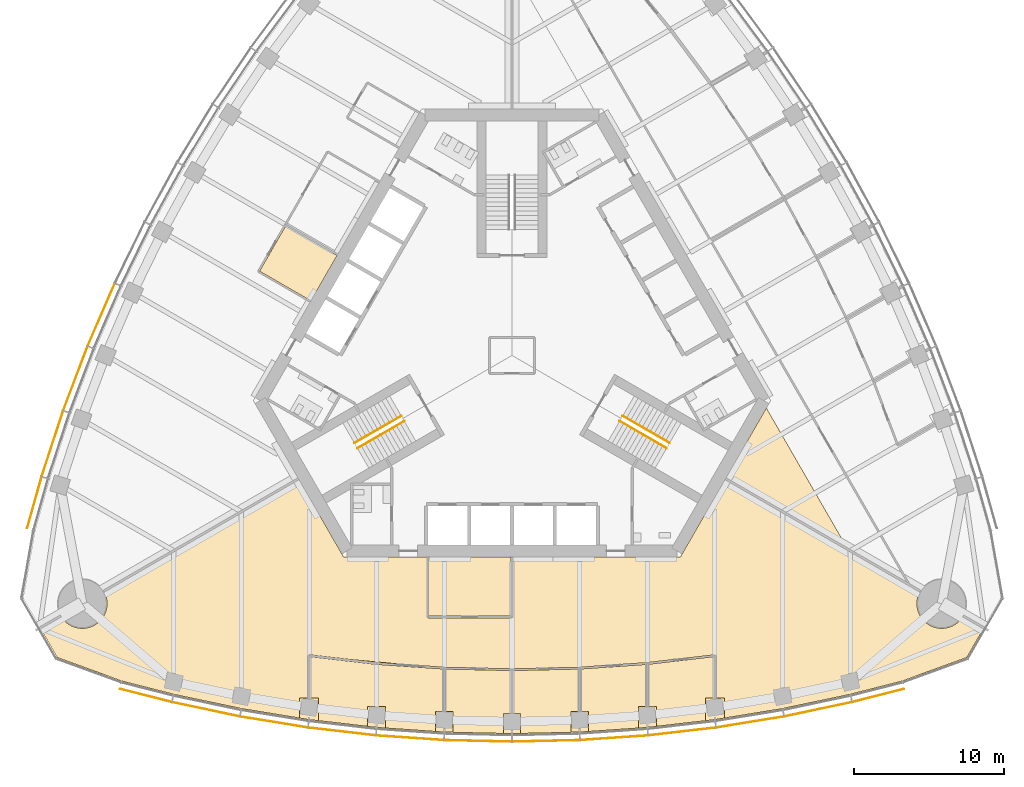
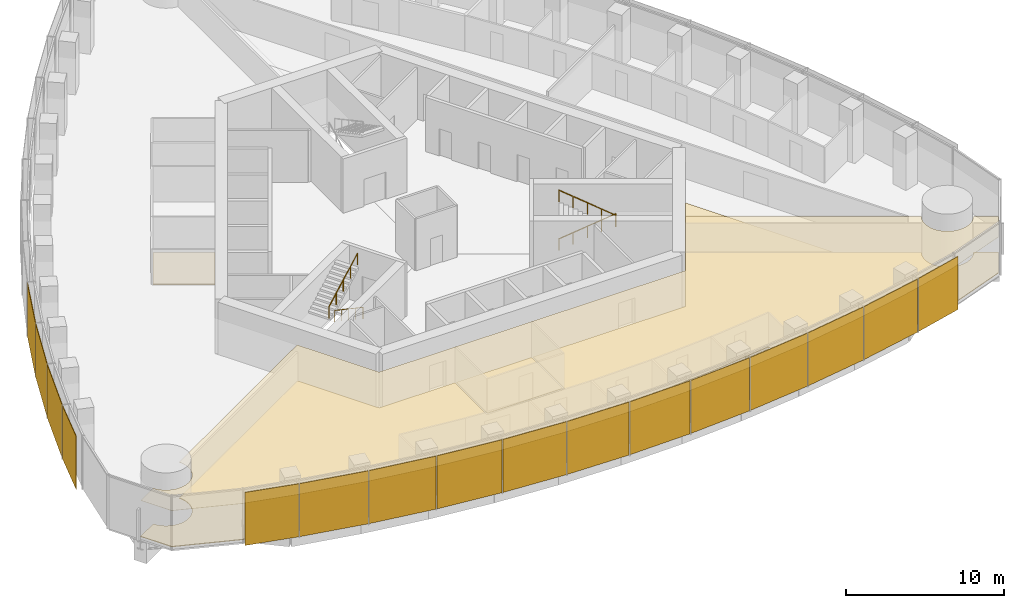
# One storey, part 16 of 20: 16 shading devices, 10 coverings, 4 railings.
"""IFC4 building model written with IfcOpenShell, lengths in metres."""

from ifc_helpers import new_model, si_unit, direction, frame, origin, origin_2d, place, context, subcontext, project, spatial, polyline, rectangle, circle, outline, extrude, material, layer, layer_set, type_object, element, save


model = new_model("IFC4")

# Units and contexts
model_context = context("Model", 3, precision=1e-05, world=origin(), true_north=direction((0.0, 1.0)))
body_context = subcontext(model_context, "Body", "Model", "MODEL_VIEW")
ifc_project = project(units=[si_unit("LENGTHUNIT", "METRE"), si_unit("AREAUNIT", "SQUARE_METRE"), si_unit("VOLUMEUNIT", "CUBIC_METRE"), si_unit("PLANEANGLEUNIT", "RADIAN"), si_unit("MASSUNIT", "GRAM", prefix="KILO")], contexts=[model_context])

# Site, building, storey
site_placement = place(None, origin())
site = spatial("IfcSite", under=ifc_project, at=site_placement, CompositionType="ELEMENT")
building_placement = place(site_placement, origin())
building = spatial("IfcBuilding", under=site, at=building_placement, Name="Trefoil Bronze Tower", CompositionType="ELEMENT")
storey_placement = place(building_placement, frame((0.0, 0.0, 210.699951171875)))
storey = spatial("IfcBuildingStorey", under=building, at=storey_placement, Name="L48", CompositionType="ELEMENT", Elevation=210.699951171875)

# Shading devices
ifc_material_1 = material(Name="Perforated bronze sheet", Category="bronze")
ifc_layer_1 = layer(ifc_material_1, 0.0400390625)
ifc_layer_set_1 = layer_set([ifc_layer_1], Name="Bronze solar screen panel")
shading_device_type = type_object("IfcShadingDeviceType", Name="Bronze solar screen panel", PredefinedType="SHUTTER", material=ifc_layer_set_1)
shading_device_1_placement = place(storey_placement, frame((-24.360107421875, -22.614501953125, 0.050048828125), z_axis=(0.0, 0.0, 1.0), x_axis=(0.968934035393, -0.247319297786, 0.0)))
element("IfcShadingDevice", 1, at=shading_device_1_placement, inside=storey, type_object=shading_device_type, Name="Solar screen CW-A L48 F1 bay 1", PredefinedType="SHUTTER", context=body_context, shape_type="SweptSolid", body=[
    extrude(rectangle(XDim=3.53369140625, YDim=0.0400390625, at=origin_2d()), origin(), (0.0, 0.0, 1.0), 4.10009765625),
])
shading_device_2_placement = place(storey_placement, frame((-20.361572265625, -23.535888671875, 0.050048828125), z_axis=(0.0, 0.0, 1.0), x_axis=(0.978394335897, -0.20674748725, 0.0)))
element("IfcShadingDevice", 2, at=shading_device_2_placement, inside=storey, type_object=shading_device_type, Name="Solar screen CW-A L48 F1 bay 2", PredefinedType="SHUTTER", context=body_context, shape_type="SweptSolid", body=[
    extrude(rectangle(XDim=4.5693359375, YDim=0.0400390625, at=origin_2d()), origin(), (0.0, 0.0, 1.0), 4.10009765625),
])
shading_device_3_placement = place(storey_placement, frame((-15.8369140625, -24.382568359375, 0.050048828125), z_axis=(0.0, 0.0, 1.0), x_axis=(0.986986549528, -0.160802832848, 0.0)))
element("IfcShadingDevice", 3, at=shading_device_3_placement, inside=storey, type_object=shading_device_type, Name="Solar screen CW-A L48 F1 bay 3", PredefinedType="SHUTTER", context=body_context, shape_type="SweptSolid", body=[
    extrude(rectangle(XDim=4.529296875, YDim=0.0400390625, at=origin_2d()), origin(), (0.0, 0.0, 1.0), 4.10009765625),
])
shading_device_4_placement = place(storey_placement, frame((-11.31201171875, -25.0126953125, 0.050048828125), z_axis=(0.0, 0.0, 1.0), x_axis=(0.993381831741, -0.114858767043, 0.0)))
element("IfcShadingDevice", 4, at=shading_device_4_placement, inside=storey, type_object=shading_device_type, Name="Solar screen CW-A L48 F1 bay 4", PredefinedType="SHUTTER", context=body_context, shape_type="SweptSolid", body=[
    extrude(rectangle(XDim=4.5, YDim=0.0400390625, at=origin_2d()), origin(), (0.0, 0.0, 1.0), 4.10009765625),
])
shading_device_5_placement = place(storey_placement, frame((-6.787109375, -25.430419921875, 0.050048828125), z_axis=(0.0, 0.0, 1.0), x_axis=(0.99762252804, -0.068915103905, 0.0)))
element("IfcShadingDevice", 5, at=shading_device_5_placement, inside=storey, type_object=shading_device_type, Name="Solar screen CW-A L48 F1 bay 5", PredefinedType="SHUTTER", context=body_context, shape_type="SweptSolid", body=[
    extrude(rectangle(XDim=4.480712890625, YDim=0.0400390625, at=origin_2d()), origin(), (0.0, 0.0, 1.0), 4.10009765625),
])
for number, where, z_axis, x_axis, name in (
    (6, (-2.262451171875, -25.638671875, 0.050048828125), (0.0, 0.0, 1.0), (0.999736116243, -0.022971675577, 0.0), "Solar screen CW-A L48 F1 bay 6"),
    (7, (2.262451171875, -25.638671875, 0.050048828125), (0.0, 0.0, 1.0), (0.999736116243, 0.022971675577, 0.0), "Solar screen CW-A L48 F1 bay 7"),
):
    element("IfcShadingDevice", number, at=place(storey_placement, frame(where, z_axis=z_axis, x_axis=x_axis)), inside=storey, type_object=shading_device_type, Name=name, PredefinedType="SHUTTER", context=body_context, shape_type="SweptSolid", body=[
        extrude(rectangle(XDim=4.47119140625, YDim=0.0400390625, at=origin_2d()), origin(), (0.0, 0.0, 1.0), 4.10009765625),
    ])
shading_device_6_placement = place(storey_placement, frame((6.787109375, -25.430419921875, 0.050048828125), z_axis=(0.0, 0.0, 1.0), x_axis=(0.99762252804, 0.068915103905, 0.0)))
element("IfcShadingDevice", 8, at=shading_device_6_placement, inside=storey, type_object=shading_device_type, Name="Solar screen CW-A L48 F1 bay 8", PredefinedType="SHUTTER", context=body_context, shape_type="SweptSolid", body=[
    extrude(rectangle(XDim=4.480712890625, YDim=0.0400390625, at=origin_2d()), origin(), (0.0, 0.0, 1.0), 4.10009765625),
])
shading_device_7_placement = place(storey_placement, frame((11.31201171875, -25.0126953125, 0.050048828125), z_axis=(0.0, 0.0, 1.0), x_axis=(0.993381831741, 0.114858767043, 0.0)))
element("IfcShadingDevice", 9, at=shading_device_7_placement, inside=storey, type_object=shading_device_type, Name="Solar screen CW-A L48 F1 bay 9", PredefinedType="SHUTTER", context=body_context, shape_type="SweptSolid", body=[
    extrude(rectangle(XDim=4.5, YDim=0.0400390625, at=origin_2d()), origin(), (0.0, 0.0, 1.0), 4.10009765625),
])
shading_device_8_placement = place(storey_placement, frame((15.8369140625, -24.382568359375, 0.050048828125), z_axis=(0.0, 0.0, 1.0), x_axis=(0.986986549528, 0.160802832848, 0.0)))
element("IfcShadingDevice", 10, at=shading_device_8_placement, inside=storey, type_object=shading_device_type, Name="Solar screen CW-A L48 F1 bay 10", PredefinedType="SHUTTER", context=body_context, shape_type="SweptSolid", body=[
    extrude(rectangle(XDim=4.529296875, YDim=0.0400390625, at=origin_2d()), origin(), (0.0, 0.0, 1.0), 4.10009765625),
])
shading_device_9_placement = place(storey_placement, frame((20.361572265625, -23.535888671875, 0.050048828125), z_axis=(0.0, 0.0, 1.0), x_axis=(0.978394335897, 0.20674748725, 0.0)))
element("IfcShadingDevice", 11, at=shading_device_9_placement, inside=storey, type_object=shading_device_type, Name="Solar screen CW-A L48 F1 bay 11", PredefinedType="SHUTTER", context=body_context, shape_type="SweptSolid", body=[
    extrude(rectangle(XDim=4.5693359375, YDim=0.0400390625, at=origin_2d()), origin(), (0.0, 0.0, 1.0), 4.10009765625),
])
shading_device_10_placement = place(storey_placement, frame((24.360107421875, -22.614501953125, 0.050048828125), z_axis=(0.0, 0.0, 1.0), x_axis=(0.968934035393, 0.247319297786, 0.0)))
element("IfcShadingDevice", 12, at=shading_device_10_placement, inside=storey, type_object=shading_device_type, Name="Solar screen CW-A L48 F1 bay 12", PredefinedType="SHUTTER", context=body_context, shape_type="SweptSolid", body=[
    extrude(rectangle(XDim=3.53369140625, YDim=0.0400390625, at=origin_2d()), origin(), (0.0, 0.0, 1.0), 4.10009765625),
])
shading_device_11_placement = place(storey_placement, frame((-27.317626953125, 2.709716796875, 0.050048828125), z_axis=(0.0, 0.0, 1.0), x_axis=(-0.397220305764, -0.917723285467, 0.0)))
element("IfcShadingDevice", 13, at=shading_device_11_placement, inside=storey, type_object=shading_device_type, Name="Solar screen CW-A L48 F3 bay 9", PredefinedType="SHUTTER", context=body_context, shape_type="SweptSolid", body=[
    extrude(rectangle(XDim=4.5, YDim=0.0400390625, at=origin_2d()), origin(), (0.0, 0.0, 1.0), 4.10009765625),
])
shading_device_12_placement = place(storey_placement, frame((-29.0341796875, -1.52392578125, 0.050048828125), z_axis=(0.0, 0.0, 1.0), x_axis=(-0.354233936517, -0.935156841508, 0.0)))
element("IfcShadingDevice", 14, at=shading_device_12_placement, inside=storey, type_object=shading_device_type, Name="Solar screen CW-A L48 F3 bay 10", PredefinedType="SHUTTER", context=body_context, shape_type="SweptSolid", body=[
    extrude(rectangle(XDim=4.529296875, YDim=0.0400390625, at=origin_2d()), origin(), (0.0, 0.0, 1.0), 4.10009765625),
])
shading_device_13_placement = place(storey_placement, frame((-30.5634765625, -5.86572265625, 0.050048828125), z_axis=(0.0, 0.0, 1.0), x_axis=(-0.310148591821, -0.950688093431, 0.0)))
element("IfcShadingDevice", 15, at=shading_device_13_placement, inside=storey, type_object=shading_device_type, Name="Solar screen CW-A L48 F3 bay 11", PredefinedType="SHUTTER", context=body_context, shape_type="SweptSolid", body=[
    extrude(rectangle(XDim=4.5693359375, YDim=0.0400390625, at=origin_2d()), origin(), (0.0, 0.0, 1.0), 4.10009765625),
])
shading_device_14_placement = place(storey_placement, frame((-31.764892578125, -9.7890625, 0.050048828125), z_axis=(0.0, 0.0, 1.0), x_axis=(-0.270282222968, -0.962781138134, 0.0)))
element("IfcShadingDevice", 16, at=shading_device_14_placement, inside=storey, type_object=shading_device_type, Name="Solar screen CW-A L48 F3 bay 12", PredefinedType="SHUTTER", context=body_context, shape_type="SweptSolid", body=[
    extrude(rectangle(XDim=3.53369140625, YDim=0.0400390625, at=origin_2d()), origin(), (0.0, 0.0, 1.0), 4.10009765625),
])

# Railings
ifc_material_2 = material(Name="Steel handrail", Category="steel")
railing_type = type_object("IfcRailingType", Name="Handrail 900", PredefinedType="HANDRAIL", material=ifc_material_2)
railing_1_placement = place(storey_placement, frame((7.365966796875, -4.021728515625, 0.16162109375)))
element("IfcRailing", 17, at=railing_1_placement, inside=storey, type_object=railing_type, Name="Handrail ST1 flight 1 L48", PredefinedType="HANDRAIL", context=body_context, shape_type="SweptSolid", body=[
    extrude(circle(Radius=0.02392578125, at=origin_2d()), frame((0.0, 0.0, 0.8759765625), z_axis=(0.76250339821, -0.440245697338, 0.474101564745), x_axis=(0.500012057535, 0.866018442252, 0.0)), (0.0, 0.0, 1.0), 4.088623046875),
    extrude(circle(Radius=0.02099609375, at=origin_2d()), origin(), (0.0, 0.0, 1.0), 0.851806640625),
    extrude(circle(Radius=0.02099609375, at=origin_2d()), frame((0.779296875, -0.449951171875, 0.484619140625)), (0.0, 0.0, 1.0), 0.851806640625),
    extrude(circle(Radius=0.02099609375, at=origin_2d()), frame((1.558837890625, -0.89990234375, 0.96923828125)), (0.0, 0.0, 1.0), 0.851806640625),
    extrude(circle(Radius=0.02099609375, at=origin_2d()), frame((2.33837890625, -1.35009765625, 1.453857421875)), (0.0, 0.0, 1.0), 0.851806640625),
    extrude(circle(Radius=0.02099609375, at=origin_2d()), frame((3.11767578125, -1.800048828125, 1.9384765625)), (0.0, 0.0, 1.0), 0.851806640625),
])
railing_2_placement = place(storey_placement, frame((10.28369140625, -6.168212890625, 2.261474609375)))
element("IfcRailing", 18, at=railing_2_placement, inside=storey, type_object=railing_type, Name="Handrail ST1 flight 2 L48", PredefinedType="HANDRAIL", context=body_context, shape_type="SweptSolid", body=[
    extrude(circle(Radius=0.02392578125, at=origin_2d()), frame((0.0, 0.0, 0.8759765625), z_axis=(-0.76250339821, 0.440245697338, 0.474101564745), x_axis=(-0.500012057535, -0.866018442252, 0.0)), (0.0, 0.0, 1.0), 4.088623046875),
    extrude(circle(Radius=0.02099609375, at=origin_2d()), origin(), (0.0, 0.0, 1.0), 0.851806640625),
    extrude(circle(Radius=0.02099609375, at=origin_2d()), frame((-0.779296875, 0.449951171875, 0.484619140625)), (0.0, 0.0, 1.0), 0.851806640625),
    extrude(circle(Radius=0.02099609375, at=origin_2d()), frame((-1.558837890625, 0.89990234375, 0.96923828125)), (0.0, 0.0, 1.0), 0.851806640625),
    extrude(circle(Radius=0.02099609375, at=origin_2d()), frame((-2.33837890625, 1.35009765625, 1.453857421875)), (0.0, 0.0, 1.0), 0.851806640625),
    extrude(circle(Radius=0.02099609375, at=origin_2d()), frame((-3.11767578125, 1.800048828125, 1.9384765625)), (0.0, 0.0, 1.0), 0.851806640625),
])
railing_3_placement = place(storey_placement, frame((-7.166015625, -4.3681640625, 0.16162109375)))
element("IfcRailing", 19, at=railing_3_placement, inside=storey, type_object=railing_type, Name="Handrail ST3 flight 1 L48", PredefinedType="HANDRAIL", context=body_context, shape_type="SweptSolid", body=[
    extrude(circle(Radius=0.02392578125, at=origin_2d()), frame((0.0, 0.0, 0.8759765625), z_axis=(-0.76250339821, -0.440245697338, 0.474101564745), x_axis=(0.500012057535, -0.866018442252, 0.0)), (0.0, 0.0, 1.0), 4.088623046875),
    extrude(circle(Radius=0.02099609375, at=origin_2d()), origin(), (0.0, 0.0, 1.0), 0.851806640625),
    extrude(circle(Radius=0.02099609375, at=origin_2d()), frame((-0.779296875, -0.449951171875, 0.484619140625)), (0.0, 0.0, 1.0), 0.851806640625),
    extrude(circle(Radius=0.02099609375, at=origin_2d()), frame((-1.558837890625, -0.89990234375, 0.96923828125)), (0.0, 0.0, 1.0), 0.851806640625),
    extrude(circle(Radius=0.02099609375, at=origin_2d()), frame((-2.33837890625, -1.35009765625, 1.453857421875)), (0.0, 0.0, 1.0), 0.851806640625),
    extrude(circle(Radius=0.02099609375, at=origin_2d()), frame((-3.11767578125, -1.800048828125, 1.9384765625)), (0.0, 0.0, 1.0), 0.851806640625),
])
railing_4_placement = place(storey_placement, frame((-10.483642578125, -5.82177734375, 2.261474609375)))
element("IfcRailing", 20, at=railing_4_placement, inside=storey, type_object=railing_type, Name="Handrail ST3 flight 2 L48", PredefinedType="HANDRAIL", context=body_context, shape_type="SweptSolid", body=[
    extrude(circle(Radius=0.02392578125, at=origin_2d()), frame((0.0, 0.0, 0.8759765625), z_axis=(0.76250339821, 0.440245697338, 0.474101564745), x_axis=(-0.500012057535, 0.866018442252, 0.0)), (0.0, 0.0, 1.0), 4.088623046875),
    extrude(circle(Radius=0.02099609375, at=origin_2d()), origin(), (0.0, 0.0, 1.0), 0.851806640625),
    extrude(circle(Radius=0.02099609375, at=origin_2d()), frame((0.779296875, 0.449951171875, 0.484619140625)), (0.0, 0.0, 1.0), 0.851806640625),
    extrude(circle(Radius=0.02099609375, at=origin_2d()), frame((1.558837890625, 0.89990234375, 0.96923828125)), (0.0, 0.0, 1.0), 0.851806640625),
    extrude(circle(Radius=0.02099609375, at=origin_2d()), frame((2.33837890625, 1.35009765625, 1.453857421875)), (0.0, 0.0, 1.0), 0.851806640625),
    extrude(circle(Radius=0.02099609375, at=origin_2d()), frame((3.11767578125, 1.800048828125, 1.9384765625)), (0.0, 0.0, 1.0), 0.851806640625),
])

# Coverings
ifc_material_3 = material(Name="Acoustic ceiling panels", Category="mineral fibre")
ifc_layer_2 = layer(ifc_material_3, 0.02001953125)
ifc_layer_set_2 = layer_set([ifc_layer_2], Name="Office ceiling 20")
covering_type_1 = type_object("IfcCoveringType", Name="Office ceiling 20", PredefinedType="CEILING", material=ifc_layer_set_2)
covering_1_placement = place(storey_placement, frame((0.0, 0.0, 2.900146484375)))
element("IfcCovering", 21, at=covering_1_placement, inside=storey, type_object=covering_type_1, Name="Ceiling L48 Open-plan office F1", PredefinedType="CEILING", context=body_context, shape_type="SweptSolid", body=[
    extrude(outline(polyline([(-29.95068359375, -17.416748046875), (-29.904052734375, -17.48291015625), (-29.854248046875, -17.546630859375), (-29.801513671875, -17.608154296875), (-29.74560546875, -17.666748046875), (-29.68701171875, -17.72265625), (-29.62548828125, -17.775390625), (-29.561767578125, -17.8251953125), (-29.49560546875, -17.871826171875), (-29.427001953125, -17.915283203125), (-29.356689453125, -17.955078125), (-29.2841796875, -17.99169921875), (-29.210205078125, -18.0244140625), (-29.134765625, -18.053466796875), (-29.057861328125, -18.0791015625), (-28.979736328125, -18.1005859375), (-28.900634765625, -18.118408203125), (-28.82080078125, -18.132080078125), (-28.740478515625, -18.14208984375), (-28.659912109375, -18.14794921875), (-28.578857421875, -18.14990234375), (-28.497802734375, -18.14794921875), (-28.4169921875, -18.14208984375), (-28.336669921875, -18.132080078125), (-28.2568359375, -18.118408203125), (-28.177978515625, -18.1005859375), (-28.099853515625, -18.0791015625), (-28.02294921875, -18.053466796875), (-27.947509765625, -18.0244140625), (-27.873291015625, -17.99169921875), (-27.801025390625, -17.955078125), (-27.730712890625, -17.915283203125), (-27.662109375, -17.871826171875), (-27.595947265625, -17.8251953125), (-27.531982421875, -17.775390625), (-27.470703125, -17.72265625), (-27.412109375, -17.666748046875), (-27.356201171875, -17.608154296875), (-27.303466796875, -17.546630859375), (-27.25341796875, -17.48291015625), (-27.206787109375, -17.416748046875), (-27.16357421875, -17.348388671875), (-27.123779296875, -17.27783203125), (-27.08740234375, -17.20556640625), (-27.054443359375, -17.13134765625), (-27.025390625, -17.055908203125), (-27.0, -16.97900390625), (-26.978271484375, -16.90087890625), (-26.96044921875, -16.822021484375), (-26.94677734375, -16.7421875), (-26.936767578125, -16.66162109375), (-26.930908203125, -16.5810546875), (-26.9287109375, -16.5), (-26.930908203125, -16.4189453125), (-26.936767578125, -16.33837890625), (-26.94677734375, -16.2578125), (-26.96044921875, -16.177978515625), (-26.978271484375, -16.09912109375), (-27.0, -16.02099609375), (-27.025390625, -15.944091796875), (-27.054443359375, -15.86865234375), (-27.08740234375, -15.79443359375), (-27.123779296875, -15.72216796875), (-27.14453125, -15.685546875), (-14.19970703125, -8.205322265625), (-11.20068359375, -13.39990234375), (11.20068359375, -13.39990234375), (14.19970703125, -8.205322265625), (27.14453125, -15.685546875), (27.123779296875, -15.72216796875), (27.08740234375, -15.79443359375), (27.054443359375, -15.86865234375), (27.025390625, -15.944091796875), (27.0, -16.02099609375), (26.978271484375, -16.09912109375), (26.96044921875, -16.177978515625), (26.94677734375, -16.2578125), (26.936767578125, -16.33837890625), (26.930908203125, -16.4189453125), (26.9287109375, -16.5), (26.930908203125, -16.5810546875), (26.936767578125, -16.66162109375), (26.94677734375, -16.7421875), (26.96044921875, -16.822021484375), (26.978271484375, -16.90087890625), (27.0, -16.97900390625), (27.025390625, -17.055908203125), (27.054443359375, -17.13134765625), (27.08740234375, -17.20556640625), (27.123779296875, -17.27783203125), (27.16357421875, -17.348388671875), (27.206787109375, -17.416748046875), (27.25341796875, -17.48291015625), (27.303466796875, -17.546630859375), (27.356201171875, -17.608154296875), (27.412109375, -17.666748046875), (27.470703125, -17.72265625), (27.531982421875, -17.775390625), (27.595947265625, -17.8251953125), (27.662109375, -17.871826171875), (27.730712890625, -17.915283203125), (27.801025390625, -17.955078125), (27.873291015625, -17.99169921875), (27.947509765625, -18.0244140625), (28.02294921875, -18.053466796875), (28.099853515625, -18.0791015625), (28.177978515625, -18.1005859375), (28.2568359375, -18.118408203125), (28.336669921875, -18.132080078125), (28.4169921875, -18.14208984375), (28.497802734375, -18.14794921875), (28.578857421875, -18.14990234375), (28.659912109375, -18.14794921875), (28.740478515625, -18.14208984375), (28.82080078125, -18.132080078125), (28.900634765625, -18.118408203125), (28.979736328125, -18.1005859375), (29.057861328125, -18.0791015625), (29.134765625, -18.053466796875), (29.210205078125, -18.0244140625), (29.2841796875, -17.99169921875), (29.356689453125, -17.955078125), (29.427001953125, -17.915283203125), (29.49560546875, -17.871826171875), (29.561767578125, -17.8251953125), (29.62548828125, -17.775390625), (29.68701171875, -17.72265625), (29.74560546875, -17.666748046875), (29.801513671875, -17.608154296875), (29.854248046875, -17.546630859375), (29.904052734375, -17.48291015625), (29.95068359375, -17.416748046875), (30.0009765625, -17.336181640625), (31.37158203125, -18.1279296875), (30.23828125, -20.0908203125), (25.952880859375, -21.650634765625), (22.5, -22.531982421875), (18.0, -23.48291015625), (13.5, -24.216064453125), (9.0, -24.736328125), (4.5, -25.047119140625), (0.0, -25.150634765625), (-4.5, -25.047119140625), (-9.0, -24.736328125), (-13.5, -24.216064453125), (-18.0, -23.48291015625), (-22.5, -22.531982421875), (-25.952880859375, -21.650634765625), (-30.23828125, -20.0908203125), (-31.37158203125, -18.1279296875), (-30.0009765625, -17.336181640625), (-29.95068359375, -17.416748046875)])), origin(), (0.0, 0.0, 1.0), 0.02001953125),
])
ifc_material_4 = material(Name="Raised access floor panels", Category="steel")
ifc_layer_3 = layer(ifc_material_4, 0.050048828125)
ifc_layer_set_3 = layer_set([ifc_layer_3], Name="Raised access floor 150")
covering_type_2 = type_object("IfcCoveringType", Name="Raised access floor 150", PredefinedType="FLOORING", material=ifc_layer_set_3)
covering_2_placement = place(storey_placement, frame((0.0, 0.0, 0.10009765625)))
element("IfcCovering", 22, at=covering_2_placement, inside=storey, type_object=covering_type_2, Name="Raised floor L48 Meeting room F1", PredefinedType="FLOORING", context=body_context, shape_type="SweptSolid", body=[
    extrude(outline(polyline([(-0.06005859375, -13.39990234375), (-0.06005859375, -17.340087890625), (-5.5400390625, -17.340087890625), (-5.5400390625, -13.39990234375), (-0.06005859375, -13.39990234375)])), origin(), (0.0, 0.0, 1.0), 0.050048828125),
])
covering_3_placement = place(storey_placement, frame((0.0, 0.0, 0.10009765625)))
element("IfcCovering", 23, at=covering_3_placement, inside=storey, type_object=covering_type_2, Name="Raised floor L48 Kitchen and breakout F1", PredefinedType="FLOORING", context=body_context, shape_type="SweptSolid", body=[
    extrude(outline(polyline([(-8.400634765625, -24.77783203125), (-8.400634765625, -23.333740234375), (-9.599365234375, -23.333740234375), (-9.599365234375, -24.6669921875), (-12.87841796875, -24.2880859375), (-12.87841796875, -22.78662109375), (-13.43994140625, -22.78662109375), (-13.43994140625, -20.033447265625), (-9.0068359375, -20.5458984375), (-9.0, -20.486328125), (-9.004150390625, -20.546142578125), (-4.56005859375, -20.853271484375), (-4.56005859375, -23.665771484375), (-4.5, -23.665771484375), (-4.5, -23.670654296875), (-5.07568359375, -23.670654296875), (-5.07568359375, -25.007568359375), (-8.400634765625, -24.77783203125)])), origin(), (0.0, 0.0, 1.0), 0.050048828125),
])
covering_4_placement = place(storey_placement, frame((0.0, 0.0, 0.10009765625)))
element("IfcCovering", 24, at=covering_4_placement, inside=storey, type_object=covering_type_2, Name="Raised floor L48 Office F1", PredefinedType="FLOORING", context=body_context, shape_type="SweptSolid", body=[
    extrude(outline(polyline([(-4.5, -23.665771484375), (-4.43994140625, -23.665771484375), (-4.43994140625, -20.858642578125), (-0.06005859375, -20.959228515625), (-0.06005859375, -23.7705078125), (0.0, -23.7705078125), (0.0, -23.799560546875), (-0.551025390625, -23.799560546875), (-0.551025390625, -25.137939453125), (-3.92431640625, -25.060546875), (-3.92431640625, -23.670654296875), (-4.5, -23.670654296875), (-4.5, -23.665771484375)])), origin(), (0.0, 0.0, 1.0), 0.050048828125),
])
covering_5_placement = place(storey_placement, frame((0.0, 0.0, 0.10009765625)))
element("IfcCovering", 25, at=covering_5_placement, inside=storey, type_object=covering_type_2, Name="Raised floor L48 Office F1", PredefinedType="FLOORING", context=body_context, shape_type="SweptSolid", body=[
    extrude(outline(polyline([(0.0, -23.7705078125), (0.06005859375, -23.7705078125), (0.06005859375, -20.959228515625), (4.43994140625, -20.858642578125), (4.43994140625, -23.665771484375), (4.5, -23.665771484375), (4.5, -23.670654296875), (3.92431640625, -23.670654296875), (3.92431640625, -25.060546875), (0.551025390625, -25.137939453125), (0.551025390625, -23.799560546875), (0.0, -23.799560546875), (0.0, -23.7705078125)])), origin(), (0.0, 0.0, 1.0), 0.050048828125),
])
covering_6_placement = place(storey_placement, frame((0.0, 0.0, 0.10009765625)))
element("IfcCovering", 26, at=covering_6_placement, inside=storey, type_object=covering_type_2, Name="Raised floor L48 Office F1", PredefinedType="FLOORING", context=body_context, shape_type="SweptSolid", body=[
    extrude(outline(polyline([(4.5, -23.665771484375), (4.56005859375, -23.665771484375), (4.56005859375, -20.853271484375), (8.93994140625, -20.55078125), (8.93994140625, -23.333740234375), (8.400634765625, -23.333740234375), (8.400634765625, -24.77783203125), (5.07568359375, -25.007568359375), (5.07568359375, -23.670654296875), (4.5, -23.670654296875), (4.5, -23.665771484375)])), origin(), (0.0, 0.0, 1.0), 0.050048828125),
])
covering_7_placement = place(storey_placement, frame((0.0, 0.0, 0.10009765625)))
element("IfcCovering", 27, at=covering_7_placement, inside=storey, type_object=covering_type_2, Name="Raised floor L48 Office F1", PredefinedType="FLOORING", context=body_context, shape_type="SweptSolid", body=[
    extrude(outline(polyline([(9.06005859375, -20.539794921875), (13.43994140625, -20.033447265625), (13.43994140625, -22.78662109375), (12.87841796875, -22.78662109375), (12.87841796875, -24.2880859375), (9.599365234375, -24.6669921875), (9.599365234375, -23.333740234375), (9.06005859375, -23.333740234375), (9.06005859375, -20.539794921875)])), origin(), (0.0, 0.0, 1.0), 0.050048828125),
])
covering_8_placement = place(storey_placement, frame((0.0, 0.0, 0.10009765625)))
element("IfcCovering", 28, at=covering_8_placement, inside=storey, type_object=covering_type_2, Name="Raised floor L48 Open-plan office F1", PredefinedType="FLOORING", context=body_context, shape_type="SweptSolid", body=[
    extrude(outline(polyline([(-14.19970703125, -8.205322265625), (-11.20068359375, -13.39990234375), (-5.659912109375, -13.39990234375), (-5.659912109375, -17.39990234375), (-5.60009765625, -17.39990234375), (-5.60009765625, -17.4599609375), (0.0, -17.4599609375), (0.0, -17.39990234375), (0.06005859375, -17.39990234375), (0.06005859375, -13.39990234375), (11.20068359375, -13.39990234375), (14.19970703125, -8.205322265625), (27.14453125, -15.685546875), (27.123779296875, -15.72216796875), (27.08740234375, -15.79443359375), (27.054443359375, -15.86865234375), (27.025390625, -15.944091796875), (27.0, -16.02099609375), (26.978271484375, -16.09912109375), (26.96044921875, -16.177978515625), (26.94677734375, -16.2578125), (26.936767578125, -16.33837890625), (26.930908203125, -16.4189453125), (26.9287109375, -16.5), (26.930908203125, -16.5810546875), (26.936767578125, -16.66162109375), (26.94677734375, -16.7421875), (26.96044921875, -16.822021484375), (26.978271484375, -16.90087890625), (27.0, -16.97900390625), (27.025390625, -17.055908203125), (27.054443359375, -17.13134765625), (27.08740234375, -17.20556640625), (27.123779296875, -17.27783203125), (27.16357421875, -17.348388671875), (27.206787109375, -17.416748046875), (27.25341796875, -17.48291015625), (27.303466796875, -17.546630859375), (27.356201171875, -17.608154296875), (27.412109375, -17.666748046875), (27.470703125, -17.72265625), (27.531982421875, -17.775390625), (27.595947265625, -17.8251953125), (27.662109375, -17.871826171875), (27.730712890625, -17.915283203125), (27.801025390625, -17.955078125), (27.873291015625, -17.99169921875), (27.947509765625, -18.0244140625), (28.02294921875, -18.053466796875), (28.099853515625, -18.0791015625), (28.177978515625, -18.1005859375), (28.2568359375, -18.118408203125), (28.336669921875, -18.132080078125), (28.4169921875, -18.14208984375), (28.497802734375, -18.14794921875), (28.578857421875, -18.14990234375), (28.659912109375, -18.14794921875), (28.740478515625, -18.14208984375), (28.82080078125, -18.132080078125), (28.900634765625, -18.118408203125), (28.979736328125, -18.1005859375), (29.057861328125, -18.0791015625), (29.134765625, -18.053466796875), (29.210205078125, -18.0244140625), (29.2841796875, -17.99169921875), (29.356689453125, -17.955078125), (29.427001953125, -17.915283203125), (29.49560546875, -17.871826171875), (29.561767578125, -17.8251953125), (29.62548828125, -17.775390625), (29.68701171875, -17.72265625), (29.74560546875, -17.666748046875), (29.801513671875, -17.608154296875), (29.854248046875, -17.546630859375), (29.904052734375, -17.48291015625), (29.95068359375, -17.416748046875), (30.0009765625, -17.336181640625), (31.37158203125, -18.1279296875), (30.23828125, -20.0908203125), (25.952880859375, -21.650634765625), (22.5, -22.531982421875), (18.0, -23.48291015625), (14.12158203125, -24.11474609375), (14.12158203125, -22.78662109375), (13.56005859375, -22.78662109375), (13.56005859375, -19.966064453125), (13.5, -19.966064453125), (13.4931640625, -19.906494140625), (8.994384765625, -20.426513671875), (4.497314453125, -20.7373046875), (0.0, -20.840576171875), (-4.497314453125, -20.7373046875), (-7.084228515625, -20.55859375), (-10.90478515625, -20.205810546875), (-13.4931640625, -19.906494140625), (-13.5, -19.966064453125), (-13.56005859375, -19.966064453125), (-13.56005859375, -22.78662109375), (-14.12158203125, -22.78662109375), (-14.12158203125, -24.11474609375), (-18.0, -23.48291015625), (-22.5, -22.531982421875), (-25.952880859375, -21.650634765625), (-30.23828125, -20.0908203125), (-31.37158203125, -18.1279296875), (-30.0009765625, -17.336181640625), (-29.95068359375, -17.416748046875), (-29.904052734375, -17.48291015625), (-29.854248046875, -17.546630859375), (-29.801513671875, -17.608154296875), (-29.74560546875, -17.666748046875), (-29.68701171875, -17.72265625), (-29.62548828125, -17.775390625), (-29.561767578125, -17.8251953125), (-29.49560546875, -17.871826171875), (-29.427001953125, -17.915283203125), (-29.356689453125, -17.955078125), (-29.2841796875, -17.99169921875), (-29.210205078125, -18.0244140625), (-29.134765625, -18.053466796875), (-29.057861328125, -18.0791015625), (-28.979736328125, -18.1005859375), (-28.900634765625, -18.118408203125), (-28.82080078125, -18.132080078125), (-28.740478515625, -18.14208984375), (-28.659912109375, -18.14794921875), (-28.578857421875, -18.14990234375), (-28.497802734375, -18.14794921875), (-28.4169921875, -18.14208984375), (-28.336669921875, -18.132080078125), (-28.2568359375, -18.118408203125), (-28.177978515625, -18.1005859375), (-28.099853515625, -18.0791015625), (-28.02294921875, -18.053466796875), (-27.947509765625, -18.0244140625), (-27.873291015625, -17.99169921875), (-27.801025390625, -17.955078125), (-27.730712890625, -17.915283203125), (-27.662109375, -17.871826171875), (-27.595947265625, -17.8251953125), (-27.531982421875, -17.775390625), (-27.470703125, -17.72265625), (-27.412109375, -17.666748046875), (-27.356201171875, -17.608154296875), (-27.303466796875, -17.546630859375), (-27.25341796875, -17.48291015625), (-27.206787109375, -17.416748046875), (-27.16357421875, -17.348388671875), (-27.123779296875, -17.27783203125), (-27.08740234375, -17.20556640625), (-27.054443359375, -17.13134765625), (-27.025390625, -17.055908203125), (-27.0, -16.97900390625), (-26.978271484375, -16.90087890625), (-26.96044921875, -16.822021484375), (-26.94677734375, -16.7421875), (-26.936767578125, -16.66162109375), (-26.930908203125, -16.5810546875), (-26.9287109375, -16.5), (-26.930908203125, -16.4189453125), (-26.936767578125, -16.33837890625), (-26.94677734375, -16.2578125), (-26.96044921875, -16.177978515625), (-26.978271484375, -16.09912109375), (-27.0, -16.02099609375), (-27.025390625, -15.944091796875), (-27.054443359375, -15.86865234375), (-27.08740234375, -15.79443359375), (-27.123779296875, -15.72216796875), (-27.14453125, -15.685546875), (-14.19970703125, -8.205322265625)])), origin(), (0.0, 0.0, 1.0), 0.050048828125),
])
covering_9_placement = place(storey_placement, frame((0.0, 0.0, 0.10009765625)))
element("IfcCovering", 29, at=covering_9_placement, inside=storey, type_object=covering_type_2, Name="Raised floor L48 Open-plan office F2", PredefinedType="FLOORING", context=body_context, shape_type="SweptSolid", body=[
    extrude(outline(polyline([(14.205810546875, -8.194580078125), (16.91650390625, -3.5), (22.333740234375, -12.88330078125), (14.205810546875, -8.194580078125)])), origin(), (0.0, 0.0, 1.0), 0.050048828125),
])
covering_10_placement = place(storey_placement, frame((0.0, 0.0, 0.10009765625)))
element("IfcCovering", 30, at=covering_10_placement, inside=storey, type_object=covering_type_2, Name="Raised floor L48 Meeting room F3", PredefinedType="FLOORING", context=body_context, shape_type="SweptSolid", body=[
    extrude(outline(polyline([(-13.374755859375, 3.63427734375), (-16.786865234375, 5.604248046875), (-15.046875, 8.617919921875), (-11.634765625, 6.64794921875), (-13.374755859375, 3.63427734375)])), origin(), (0.0, 0.0, 1.0), 0.050048828125),
])

save(model, "model.ifc")
